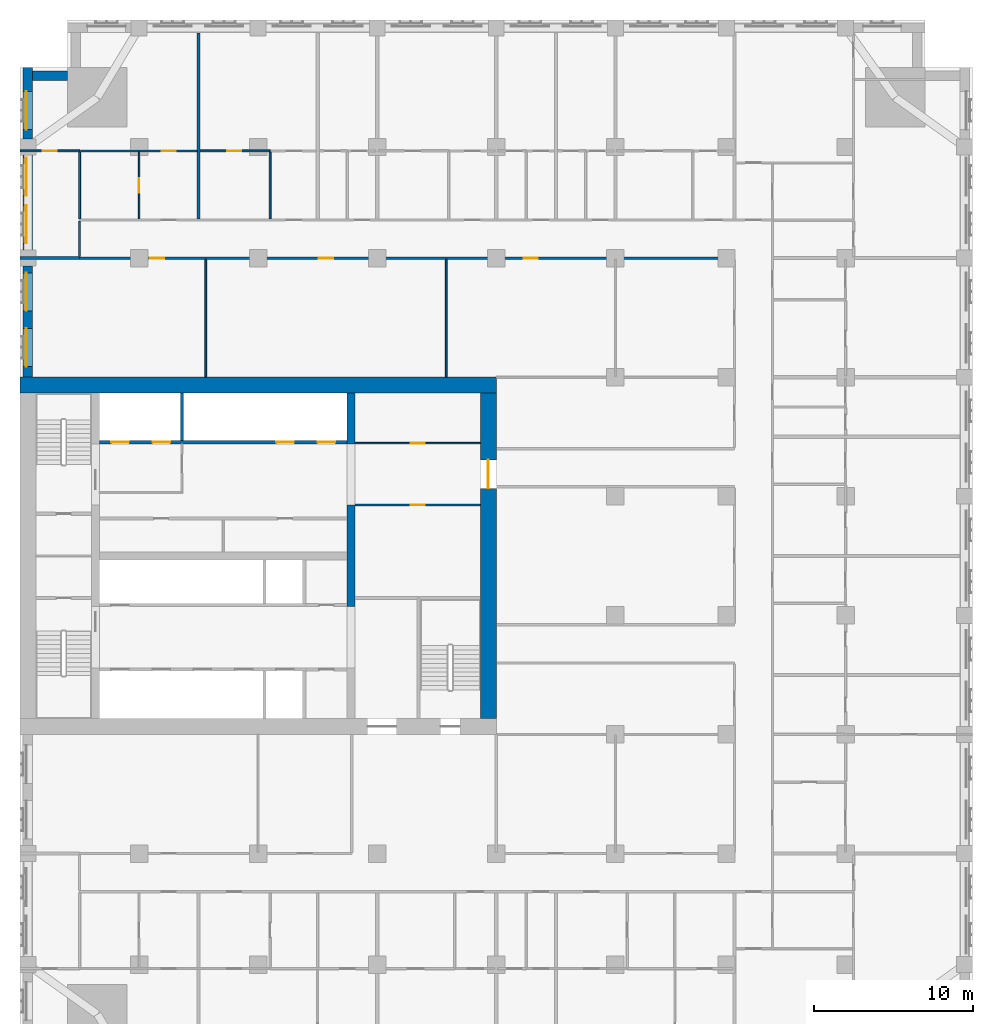
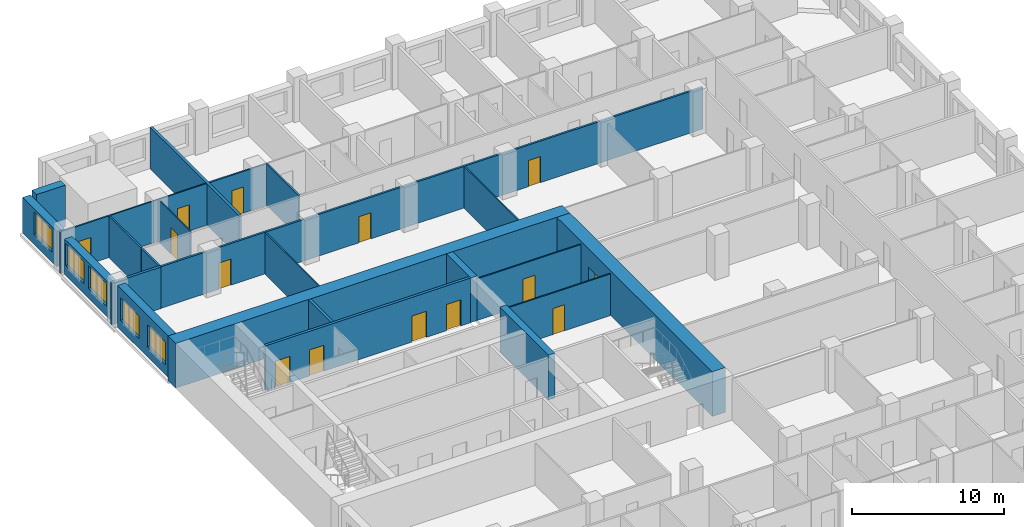
# One storey, part 8 of 14: 24 walls, 14 doors, 5 windows, 19 openings.
"""IFC4 building model written with IfcOpenShell, lengths in metres."""

from ifc_helpers import new_model, si_unit, direction, frame, frame_2d, origin, place, context, subcontext, project, spatial, rectangle, extrude, material, layer, layer_set, type_object, element, fill, save


model = new_model("IFC4")

# Units and contexts
model_context = context("Model", 3, precision=1e-05, world=origin(), true_north=direction((0.0, 1.0)))
body_context = subcontext(model_context, "Body", "Model", "MODEL_VIEW")
ifc_project = project(units=[si_unit("LENGTHUNIT", "METRE"), si_unit("AREAUNIT", "SQUARE_METRE"), si_unit("VOLUMEUNIT", "CUBIC_METRE"), si_unit("PLANEANGLEUNIT", "RADIAN"), si_unit("MASSUNIT", "GRAM", prefix="KILO")], contexts=[model_context])

# Site, building, storey
site_placement = place(None, origin())
site = spatial("IfcSite", under=ifc_project, at=site_placement, CompositionType="ELEMENT")
building_placement = place(site_placement, origin())
building = spatial("IfcBuilding", under=site, at=building_placement, Name="Tamorin Gate", CompositionType="ELEMENT")
storey_placement = place(building_placement, frame((0.0, 0.0, 107.89990234375)))
storey = spatial("IfcBuildingStorey", under=building, at=storey_placement, Name="L26", CompositionType="ELEMENT", Elevation=107.89990234375)

# Wall
ifc_material_1 = material(Name="Precast concrete C40/50", Category="concrete")
ifc_layer_1 = layer(ifc_material_1, 0.60009765625)
ifc_layer_set_1 = layer_set([ifc_layer_1], Name="Precast concrete C40/50")
wall_type_1 = type_object("IfcWallType", Name="Board-marked concrete facade panel 600", PredefinedType="SOLIDWALL", material=ifc_layer_set_1)
wall_1_placement = place(storey_placement, frame((33.0, 101.5, 0.0), z_axis=(0.0, 0.0, 1.0), x_axis=(-1.0, 0.0, 0.0)))
element("IfcWall", 1, at=wall_1_placement, inside=storey, type_object=wall_type_1, Name="Facade panel", PredefinedType="SOLIDWALL", context=body_context, shape_type="SweptSolid", body=[
    extrude(rectangle(XDim=2.199951171875, YDim=0.60009765625, at=frame_2d((1.10009765625, 0.0))), origin(), (0.0, 0.0, 1.0), 3.35009765625),
])

# Wall, opening, window
wall_2_placement = place(storey_placement, frame((30.5, 102.0, 0.0), z_axis=(0.0, 0.0, 1.0), x_axis=(0.0, -1.0, 0.0)))
wall_2 = element("IfcWall", 2, at=wall_2_placement, inside=storey, type_object=wall_type_1, Name="Facade panel", PredefinedType="SOLIDWALL", context=body_context, shape_type="SweptSolid", body=[
    extrude(rectangle(XDim=4.5, YDim=0.60009765625, at=frame_2d((2.25, 0.0))), origin(), (0.0, 0.0, 1.0), 2.85009765625),
])
opening_1_placement = place(wall_2_placement, frame((1.5, 0.0, 0.800048828125)))
opening_1 = element("IfcOpeningElement", 3, at=opening_1_placement, cuts=wall_2, Name="Opening WN1", PredefinedType="OPENING", context=body_context, shape_type="SweptSolid", body=[
    extrude(rectangle(XDim=2.39990234375, YDim=1.800048828125, at=frame_2d((1.199951171875, 0.89990234375))), frame((0.0, 0.31005859375, 0.0), z_axis=(0.0, -1.0, 0.0), x_axis=(1.0, 0.0, 0.0)), (0.0, 0.0, 1.0), 0.6201171875),
])
ifc_material_2 = material(Name="Clear glass in aluminium frame", Category="aluminium")
window_type = type_object("IfcWindowType", Name="Deep-set window 2400x1800", PartitioningType="SINGLE_PANEL", PredefinedType="WINDOW", material=ifc_material_2)
window_1_placement = place(opening_1_placement, origin())
window_1 = element("IfcWindow", 4, at=window_1_placement, inside=storey, type_object=window_type, Name="Deep-set window", OverallHeight=1.800048828125, OverallWidth=2.39990234375, PartitioningType="SINGLE_PANEL", PredefinedType="WINDOW", context=body_context, shape_type="SweptSolid", body=[
    extrude(rectangle(XDim=2.39990234375, YDim=1.800048828125, at=frame_2d((1.199951171875, 0.89990234375))), frame((0.0, -0.070068359375, 0.0), z_axis=(0.0, -1.0, 0.0), x_axis=(1.0, 0.0, 0.0)), (0.0, 0.0, 1.0), 0.06005859375),
])
fill(opening_1, window_1)

# Wall, openings, windows
wall_3_placement = place(storey_placement, frame((30.5, 96.5, 0.0), z_axis=(0.0, 0.0, 1.0), x_axis=(0.0, -1.0, 0.0)))
wall_3 = element("IfcWall", 5, at=wall_3_placement, inside=storey, type_object=wall_type_1, Name="Facade panel", PredefinedType="SOLIDWALL", context=body_context, shape_type="SweptSolid", body=[
    extrude(rectangle(XDim=6.0, YDim=0.60009765625, at=frame_2d((3.0, 0.0))), origin(), (0.0, 0.0, 1.0), 2.85009765625),
])
opening_2_placement = place(wall_3_placement, frame((3.175048828125, 0.0, 0.800048828125)))
opening_2 = element("IfcOpeningElement", 6, at=opening_2_placement, cuts=wall_3, Name="Opening WN1", PredefinedType="OPENING", context=body_context, shape_type="SweptSolid", body=[
    extrude(rectangle(XDim=2.39990234375, YDim=1.800048828125, at=frame_2d((1.199951171875, 0.89990234375))), frame((0.0, 0.31005859375, 0.0), z_axis=(0.0, -1.0, 0.0), x_axis=(1.0, 0.0, 0.0)), (0.0, 0.0, 1.0), 0.6201171875),
])
opening_3_placement = place(wall_3_placement, frame((0.175048828125, 0.0, 0.800048828125)))
opening_3 = element("IfcOpeningElement", 7, at=opening_3_placement, cuts=wall_3, Name="Opening WN1", PredefinedType="OPENING", context=body_context, shape_type="SweptSolid", body=[
    extrude(rectangle(XDim=2.39990234375, YDim=1.800048828125, at=frame_2d((1.199951171875, 0.89990234375))), frame((0.0, 0.31005859375, 0.0), z_axis=(0.0, -1.0, 0.0), x_axis=(1.0, 0.0, 0.0)), (0.0, 0.0, 1.0), 0.6201171875),
])
window_2_placement = place(opening_2_placement, origin())
window_2 = element("IfcWindow", 8, at=window_2_placement, inside=storey, type_object=window_type, Name="Deep-set window", OverallHeight=1.800048828125, OverallWidth=2.39990234375, PartitioningType="SINGLE_PANEL", PredefinedType="WINDOW", context=body_context, shape_type="SweptSolid", body=[
    extrude(rectangle(XDim=2.39990234375, YDim=1.800048828125, at=frame_2d((1.199951171875, 0.89990234375))), frame((0.0, -0.070068359375, 0.0), z_axis=(0.0, -1.0, 0.0), x_axis=(1.0, 0.0, 0.0)), (0.0, 0.0, 1.0), 0.06005859375),
])
fill(opening_2, window_2)
window_3_placement = place(opening_3_placement, origin())
window_3 = element("IfcWindow", 9, at=window_3_placement, inside=storey, type_object=window_type, Name="Deep-set window", OverallHeight=1.800048828125, OverallWidth=2.39990234375, PartitioningType="SINGLE_PANEL", PredefinedType="WINDOW", context=body_context, shape_type="SweptSolid", body=[
    extrude(rectangle(XDim=2.39990234375, YDim=1.800048828125, at=frame_2d((1.199951171875, 0.89990234375))), frame((0.0, -0.070068359375, 0.0), z_axis=(0.0, -1.0, 0.0), x_axis=(1.0, 0.0, 0.0)), (0.0, 0.0, 1.0), 0.06005859375),
])
fill(opening_3, window_3)

wall_4_placement = place(storey_placement, frame((30.5, 89.5, 0.0), z_axis=(0.0, 0.0, 1.0), x_axis=(0.0, -1.0, 0.0)))
wall_4 = element("IfcWall", 10, at=wall_4_placement, inside=storey, type_object=wall_type_1, Name="Facade panel", PredefinedType="SOLIDWALL", context=body_context, shape_type="SweptSolid", body=[
    extrude(rectangle(XDim=7.0, YDim=0.60009765625, at=frame_2d((3.5, 0.0))), origin(), (0.0, 0.0, 1.0), 3.35009765625),
])
opening_4_placement = place(wall_4_placement, frame((3.925048828125, 0.0, 0.800048828125)))
opening_4 = element("IfcOpeningElement", 11, at=opening_4_placement, cuts=wall_4, Name="Opening WN1", PredefinedType="OPENING", context=body_context, shape_type="SweptSolid", body=[
    extrude(rectangle(XDim=2.39990234375, YDim=1.800048828125, at=frame_2d((1.199951171875, 0.89990234375))), frame((0.0, 0.31005859375, 0.0), z_axis=(0.0, -1.0, 0.0), x_axis=(1.0, 0.0, 0.0)), (0.0, 0.0, 1.0), 0.6201171875),
])
opening_5_placement = place(wall_4_placement, frame((0.425048828125, 0.0, 0.800048828125)))
opening_5 = element("IfcOpeningElement", 12, at=opening_5_placement, cuts=wall_4, Name="Opening WN1", PredefinedType="OPENING", context=body_context, shape_type="SweptSolid", body=[
    extrude(rectangle(XDim=2.39990234375, YDim=1.800048828125, at=frame_2d((1.199951171875, 0.89990234375))), frame((0.0, 0.31005859375, 0.0), z_axis=(0.0, -1.0, 0.0), x_axis=(1.0, 0.0, 0.0)), (0.0, 0.0, 1.0), 0.6201171875),
])
window_4_placement = place(opening_4_placement, origin())
window_4 = element("IfcWindow", 13, at=window_4_placement, inside=storey, type_object=window_type, Name="Deep-set window", OverallHeight=1.800048828125, OverallWidth=2.39990234375, PartitioningType="SINGLE_PANEL", PredefinedType="WINDOW", context=body_context, shape_type="SweptSolid", body=[
    extrude(rectangle(XDim=2.39990234375, YDim=1.800048828125, at=frame_2d((1.199951171875, 0.89990234375))), frame((0.0, -0.070068359375, 0.0), z_axis=(0.0, -1.0, 0.0), x_axis=(1.0, 0.0, 0.0)), (0.0, 0.0, 1.0), 0.06005859375),
])
fill(opening_4, window_4)
window_5_placement = place(opening_5_placement, origin())
window_5 = element("IfcWindow", 14, at=window_5_placement, inside=storey, type_object=window_type, Name="Deep-set window", OverallHeight=1.800048828125, OverallWidth=2.39990234375, PartitioningType="SINGLE_PANEL", PredefinedType="WINDOW", context=body_context, shape_type="SweptSolid", body=[
    extrude(rectangle(XDim=2.39990234375, YDim=1.800048828125, at=frame_2d((1.199951171875, 0.89990234375))), frame((0.0, -0.070068359375, 0.0), z_axis=(0.0, -1.0, 0.0), x_axis=(1.0, 0.0, 0.0)), (0.0, 0.0, 1.0), 0.06005859375),
])
fill(opening_5, window_5)

# Wall, openings, doors
ifc_material_3 = material(Name="Gypsum board partition")
ifc_layer_2 = layer(ifc_material_3, 0.14990234375)
ifc_layer_set_2 = layer_set([ifc_layer_2], Name="Corridor wall 150")
wall_type_2 = type_object("IfcWallType", Name="Corridor wall 150", PredefinedType="PARTITIONING", material=ifc_layer_set_2)
wall_5_placement = place(storey_placement, frame((33.75, 90.0, 0.0), z_axis=(0.0, 0.0, 1.0), x_axis=(1.0, 0.0, 0.0)))
wall_5 = element("IfcWall", 15, at=wall_5_placement, inside=storey, type_object=wall_type_2, Name="Corridor wall 150", PredefinedType="PARTITIONING", context=body_context, shape_type="SweptSolid", body=[
    extrude(rectangle(XDim=41.25, YDim=0.14990234375, at=frame_2d((20.625, 0.0))), origin(), (0.0, 0.0, 1.0), 3.35009765625),
])
opening_6_placement = place(wall_5_placement, frame((4.425048828125, 0.0, 0.0)))
opening_6 = element("IfcOpeningElement", 16, at=opening_6_placement, cuts=wall_5, Name="Opening DH5076", PredefinedType="OPENING", context=body_context, shape_type="SweptSolid", body=[
    extrude(rectangle(XDim=0.89990234375, YDim=2.10009765625, at=frame_2d((0.449951171875, 1.050048828125))), frame((0.0, 0.0849609375, 0.0), z_axis=(0.0, -1.0, 0.0), x_axis=(1.0, 0.0, 0.0)), (0.0, 0.0, 1.0), 0.169921875),
])
opening_7_placement = place(wall_5_placement, frame((15.074951171875, 0.0, 0.0)))
opening_7 = element("IfcOpeningElement", 17, at=opening_7_placement, cuts=wall_5, Name="Opening DH5077", PredefinedType="OPENING", context=body_context, shape_type="SweptSolid", body=[
    extrude(rectangle(XDim=0.89990234375, YDim=2.10009765625, at=frame_2d((0.449951171875, 1.050048828125))), frame((0.0, 0.0849609375, 0.0), z_axis=(0.0, -1.0, 0.0), x_axis=(1.0, 0.0, 0.0)), (0.0, 0.0, 1.0), 0.169921875),
])
opening_8_placement = place(wall_5_placement, frame((27.97509765625, 0.0, 0.0)))
opening_8 = element("IfcOpeningElement", 18, at=opening_8_placement, cuts=wall_5, Name="Opening DH5078", PredefinedType="OPENING", context=body_context, shape_type="SweptSolid", body=[
    extrude(rectangle(XDim=0.89990234375, YDim=2.10009765625, at=frame_2d((0.449951171875, 1.050048828125))), frame((0.0, 0.0849609375, 0.0), z_axis=(0.0, -1.0, 0.0), x_axis=(1.0, 0.0, 0.0)), (0.0, 0.0, 1.0), 0.169921875),
])
ifc_material_4 = material(Name="Timber door leaf", Category="wood")
door_type_1 = type_object("IfcDoorType", Name="Door 900 x 2100 FD30S", OperationType="NOTDEFINED", PredefinedType="DOOR", material=ifc_material_4)
door_1_placement = place(opening_6_placement, origin())
door_1 = element("IfcDoor", 19, at=door_1_placement, inside=storey, type_object=door_type_1, Name="Door DH5076", OperationType="SINGLE_SWING_LEFT", OverallHeight=2.10009765625, OverallWidth=0.89990234375, PredefinedType="DOOR", context=body_context, shape_type="SweptSolid", body=[
    extrude(rectangle(XDim=0.89990234375, YDim=2.10009765625, at=frame_2d((0.449951171875, 1.050048828125))), frame((0.0, 0.02490234375, 0.0), z_axis=(0.0, -1.0, 0.0), x_axis=(1.0, 0.0, 0.0)), (0.0, 0.0, 1.0), 0.050048828125),
])
fill(opening_6, door_1)
door_2_placement = place(opening_7_placement, origin())
door_2 = element("IfcDoor", 20, at=door_2_placement, inside=storey, type_object=door_type_1, Name="Door DH5077", OperationType="SINGLE_SWING_RIGHT", OverallHeight=2.10009765625, OverallWidth=0.89990234375, PredefinedType="DOOR", context=body_context, shape_type="SweptSolid", body=[
    extrude(rectangle(XDim=0.89990234375, YDim=2.10009765625, at=frame_2d((0.449951171875, 1.050048828125))), frame((0.0, 0.02490234375, 0.0), z_axis=(0.0, -1.0, 0.0), x_axis=(1.0, 0.0, 0.0)), (0.0, 0.0, 1.0), 0.050048828125),
])
fill(opening_7, door_2)
door_3_placement = place(opening_8_placement, origin())
door_3 = element("IfcDoor", 21, at=door_3_placement, inside=storey, type_object=door_type_1, Name="Door DH5078", OperationType="SINGLE_SWING_RIGHT", OverallHeight=2.10009765625, OverallWidth=0.89990234375, PredefinedType="DOOR", context=body_context, shape_type="SweptSolid", body=[
    extrude(rectangle(XDim=0.89990234375, YDim=2.10009765625, at=frame_2d((0.449951171875, 1.050048828125))), frame((0.0, 0.02490234375, 0.0), z_axis=(0.0, -1.0, 0.0), x_axis=(1.0, 0.0, 0.0)), (0.0, 0.0, 1.0), 0.050048828125),
])
fill(opening_8, door_3)

# Walls
wall_6_placement = place(storey_placement, frame((33.75, 90.10009765625, 0.0), z_axis=(0.0, 0.0, 1.0), x_axis=(0.0, 1.0, 0.0)))
element("IfcWall", 22, at=wall_6_placement, inside=storey, type_object=wall_type_2, Name="Corridor wall 150", PredefinedType="PARTITIONING", context=body_context, shape_type="SweptSolid", body=[
    extrude(rectangle(XDim=2.224853515625, YDim=0.14990234375, at=frame_2d((1.1123046875, 0.0))), origin(), (0.0, 0.0, 1.0), 3.35009765625),
])
ifc_layer_3 = layer(ifc_material_3, 0.199951171875)
ifc_layer_set_3 = layer_set([ifc_layer_3], Name="Demising wall 200")
wall_type_3 = type_object("IfcWallType", Name="Demising wall 200", PredefinedType="PARTITIONING", material=ifc_layer_set_3)
wall_7_placement = place(storey_placement, frame((30.0, 90.0, 0.0), z_axis=(0.0, 0.0, 1.0), x_axis=(1.0, 0.0, 0.0)))
element("IfcWall", 23, at=wall_7_placement, inside=storey, type_object=wall_type_3, Name="Demising wall 200", PredefinedType="PARTITIONING", context=body_context, shape_type="SweptSolid", body=[
    extrude(rectangle(XDim=3.75, YDim=0.199951171875, at=frame_2d((1.875, 0.0))), origin(), (0.0, 0.0, 1.0), 3.35009765625),
])
wall_8_placement = place(storey_placement, frame((41.25, 92.47509765625, 0.0), z_axis=(0.0, 0.0, 1.0), x_axis=(0.0, 1.0, 0.0)))
element("IfcWall", 24, at=wall_8_placement, inside=storey, type_object=wall_type_3, Name="Demising wall 200", PredefinedType="PARTITIONING", context=body_context, shape_type="SweptSolid", body=[
    extrude(rectangle(XDim=11.71484375, YDim=0.199951171875, at=frame_2d((5.857421875, 0.0))), origin(), (0.0, 0.0, 1.0), 3.35009765625),
])

# Wall, openings, doors
ifc_material_5 = material(Name="Concrete C32/40", Category="concrete")
ifc_layer_4 = layer(ifc_material_5, 0.199951171875)
ifc_layer_set_4 = layer_set([ifc_layer_4], Name="Lift lobby face wall 200 EI 120")
wall_type_4 = type_object("IfcWallType", Name="Lift lobby face wall 200 EI 120", PredefinedType="SOLIDWALL", material=ifc_layer_set_4)
wall_9_placement = place(storey_placement, frame((35.0, 78.39990234375, 0.0), z_axis=(0.0, 0.0, 1.0), x_axis=(1.0, 0.0, 0.0)))
wall_9 = element("IfcWall", 25, at=wall_9_placement, inside=storey, type_object=wall_type_4, Name="Lift lobby face wall", PredefinedType="SOLIDWALL", context=body_context, shape_type="SweptSolid", body=[
    extrude(rectangle(XDim=15.60009765625, YDim=0.199951171875, at=frame_2d((7.800048828125, 0.0))), origin(), (0.0, 0.0, 1.0), 3.60009765625),
])
opening_9_placement = place(wall_9_placement, frame((0.75, 0.0, 0.0)))
opening_9 = element("IfcOpeningElement", 26, at=opening_9_placement, cuts=wall_9, Name="Opening LD17", PredefinedType="OPENING", context=body_context, shape_type="SweptSolid", body=[
    extrude(rectangle(XDim=1.10009765625, YDim=2.10009765625, at=frame_2d((0.550048828125, 1.050048828125))), frame((0.0, 0.10986328125, 0.0), z_axis=(0.0, -1.0, 0.0), x_axis=(1.0, 0.0, 0.0)), (0.0, 0.0, 1.0), 0.219970703125),
])
opening_10_placement = place(wall_9_placement, frame((3.35009765625, 0.0, 0.0)))
opening_10 = element("IfcOpeningElement", 27, at=opening_10_placement, cuts=wall_9, Name="Opening LD18", PredefinedType="OPENING", context=body_context, shape_type="SweptSolid", body=[
    extrude(rectangle(XDim=1.10009765625, YDim=2.10009765625, at=frame_2d((0.550048828125, 1.050048828125))), frame((0.0, 0.10986328125, 0.0), z_axis=(0.0, -1.0, 0.0), x_axis=(1.0, 0.0, 0.0)), (0.0, 0.0, 1.0), 0.219970703125),
])
opening_11_placement = place(wall_9_placement, frame((11.14990234375, 0.0, 0.0)))
opening_11 = element("IfcOpeningElement", 28, at=opening_11_placement, cuts=wall_9, Name="Opening LD21", PredefinedType="OPENING", context=body_context, shape_type="SweptSolid", body=[
    extrude(rectangle(XDim=1.10009765625, YDim=2.10009765625, at=frame_2d((0.550048828125, 1.050048828125))), frame((0.0, 0.10986328125, 0.0), z_axis=(0.0, -1.0, 0.0), x_axis=(1.0, 0.0, 0.0)), (0.0, 0.0, 1.0), 0.219970703125),
])
opening_12_placement = place(wall_9_placement, frame((13.75, 0.0, 0.0)))
opening_12 = element("IfcOpeningElement", 29, at=opening_12_placement, cuts=wall_9, Name="Opening LD22", PredefinedType="OPENING", context=body_context, shape_type="SweptSolid", body=[
    extrude(rectangle(XDim=1.10009765625, YDim=2.10009765625, at=frame_2d((0.550048828125, 1.050048828125))), frame((0.0, 0.10986328125, 0.0), z_axis=(0.0, -1.0, 0.0), x_axis=(1.0, 0.0, 0.0)), (0.0, 0.0, 1.0), 0.219970703125),
])
ifc_material_6 = material(Name="Stainless steel sliding door", Category="steel")
door_type_2 = type_object("IfcDoorType", Name="Lift landing door 1100 x 2100 E 90", OperationType="DOUBLE_DOOR_SLIDING", PredefinedType="DOOR", material=ifc_material_6)
door_4_placement = place(opening_9_placement, origin())
door_4 = element("IfcDoor", 30, at=door_4_placement, inside=storey, type_object=door_type_2, Name="FF1 landing door", OperationType="DOUBLE_DOOR_SLIDING", OverallHeight=2.10009765625, OverallWidth=1.10009765625, PredefinedType="DOOR", context=body_context, shape_type="SweptSolid", body=[
    extrude(rectangle(XDim=1.10009765625, YDim=2.10009765625, at=frame_2d((0.550048828125, 1.050048828125))), frame((0.0, 0.02490234375, 0.0), z_axis=(0.0, -1.0, 0.0), x_axis=(1.0, 0.0, 0.0)), (0.0, 0.0, 1.0), 0.050048828125),
])
fill(opening_9, door_4)
door_5_placement = place(opening_10_placement, origin())
door_5 = element("IfcDoor", 31, at=door_5_placement, inside=storey, type_object=door_type_2, Name="FF2 landing door", OperationType="DOUBLE_DOOR_SLIDING", OverallHeight=2.10009765625, OverallWidth=1.10009765625, PredefinedType="DOOR", context=body_context, shape_type="SweptSolid", body=[
    extrude(rectangle(XDim=1.10009765625, YDim=2.10009765625, at=frame_2d((0.550048828125, 1.050048828125))), frame((0.0, 0.02490234375, 0.0), z_axis=(0.0, -1.0, 0.0), x_axis=(1.0, 0.0, 0.0)), (0.0, 0.0, 1.0), 0.050048828125),
])
fill(opening_10, door_5)
door_6_placement = place(opening_11_placement, origin())
door_6 = element("IfcDoor", 32, at=door_6_placement, inside=storey, type_object=door_type_2, Name="SV1 landing door", OperationType="DOUBLE_DOOR_SLIDING", OverallHeight=2.10009765625, OverallWidth=1.10009765625, PredefinedType="DOOR", context=body_context, shape_type="SweptSolid", body=[
    extrude(rectangle(XDim=1.10009765625, YDim=2.10009765625, at=frame_2d((0.550048828125, 1.050048828125))), frame((0.0, 0.02490234375, 0.0), z_axis=(0.0, -1.0, 0.0), x_axis=(1.0, 0.0, 0.0)), (0.0, 0.0, 1.0), 0.050048828125),
])
fill(opening_11, door_6)
door_7_placement = place(opening_12_placement, origin())
door_7 = element("IfcDoor", 33, at=door_7_placement, inside=storey, type_object=door_type_2, Name="SV2 landing door", OperationType="DOUBLE_DOOR_SLIDING", OverallHeight=2.10009765625, OverallWidth=1.10009765625, PredefinedType="DOOR", context=body_context, shape_type="SweptSolid", body=[
    extrude(rectangle(XDim=1.10009765625, YDim=2.10009765625, at=frame_2d((0.550048828125, 1.050048828125))), frame((0.0, 0.02490234375, 0.0), z_axis=(0.0, -1.0, 0.0), x_axis=(1.0, 0.0, 0.0)), (0.0, 0.0, 1.0), 0.050048828125),
])
fill(opening_12, door_7)

# Walls
ifc_layer_5 = layer(ifc_material_5, 0.199951171875)
ifc_layer_set_5 = layer_set([ifc_layer_5], Name="Lift shaft wall 200 EI 120")
wall_type_5 = type_object("IfcWallType", Name="Lift shaft wall 200 EI 120", PredefinedType="SOLIDWALL", material=ifc_layer_set_5)
wall_10_placement = place(storey_placement, frame((40.199951171875, 78.5, 0.0), z_axis=(0.0, 0.0, 1.0), x_axis=(0.0, 1.0, 0.0)))
element("IfcWall", 34, at=wall_10_placement, inside=storey, type_object=wall_type_5, Name="Lift shaft wall", PredefinedType="SOLIDWALL", context=body_context, shape_type="SweptSolid", body=[
    extrude(rectangle(XDim=3.0, YDim=0.199951171875, at=frame_2d((1.5, 0.0))), origin(), (0.0, 0.0, 1.0), 3.60009765625),
])
ifc_material_7 = material(Name="Concrete C80/95", Category="concrete")
ifc_layer_6 = layer(ifc_material_7, 0.5)
ifc_layer_set_6 = layer_set([ifc_layer_6], Name="RC core internal wall 500 C80/95")
wall_type_6 = type_object("IfcWallType", Name="RC core internal wall 500 C80/95", PredefinedType="SHEAR", material=ifc_layer_set_6)
wall_11_placement = place(storey_placement, frame((50.85009765625, 68.050048828125, 0.0), z_axis=(0.0, 0.0, 1.0), x_axis=(0.0, 1.0, 0.0)))
element("IfcWall", 35, at=wall_11_placement, inside=storey, type_object=wall_type_6, Name="Core cross wall L26", PredefinedType="SHEAR", context=body_context, shape_type="SweptSolid", body=[
    extrude(rectangle(XDim=6.39990234375, YDim=0.5, at=frame_2d((3.199951171875, 0.0))), origin(), (0.0, 0.0, 1.0), 3.60009765625),
])
wall_12_placement = place(storey_placement, frame((50.85009765625, 78.300048828125, 0.0), z_axis=(0.0, 0.0, 1.0), x_axis=(0.0, 1.0, 0.0)))
element("IfcWall", 36, at=wall_12_placement, inside=storey, type_object=wall_type_6, Name="Core cross wall L26", PredefinedType="SHEAR", context=body_context, shape_type="SweptSolid", body=[
    extrude(rectangle(XDim=3.199951171875, YDim=0.5, at=frame_2d((1.60009765625, 0.0))), origin(), (0.0, 0.0, 1.0), 3.60009765625),
])
ifc_layer_7 = layer(ifc_material_7, 1.0)
ifc_layer_set_7 = layer_set([ifc_layer_7], Name="RC core wall 1000 C80/95")
wall_type_7 = type_object("IfcWallType", Name="RC core wall 1000 C80/95", PredefinedType="SHEAR", material=ifc_layer_set_7)
wall_13_placement = place(storey_placement, frame((30.0, 82.0, 0.0), z_axis=(0.0, 0.0, 1.0), x_axis=(1.0, 0.0, 0.0)))
element("IfcWall", 37, at=wall_13_placement, inside=storey, type_object=wall_type_7, Name="Core wall L26", PredefinedType="SHEAR", context=body_context, shape_type="SweptSolid", body=[
    extrude(rectangle(XDim=30.0, YDim=1.0, at=frame_2d((15.0, 0.0))), origin(), (0.0, 0.0, 1.0), 3.60009765625),
])

# Wall, opening, door
wall_14_placement = place(storey_placement, frame((59.5, 61.0, 0.0), z_axis=(0.0, 0.0, 1.0), x_axis=(0.0, 1.0, 0.0)))
wall_14 = element("IfcWall", 38, at=wall_14_placement, inside=storey, type_object=wall_type_7, Name="Core wall L26", PredefinedType="SHEAR", context=body_context, shape_type="SweptSolid", body=[
    extrude(rectangle(XDim=20.5, YDim=1.0, at=frame_2d((10.25, 0.0))), origin(), (0.0, 0.0, 1.0), 3.60009765625),
])
opening_13_placement = place(wall_14_placement, frame((14.5, 0.0, 0.0)))
opening_13 = element("IfcOpeningElement", 39, at=opening_13_placement, cuts=wall_14, Name="Opening DE1", PredefinedType="OPENING", context=body_context, shape_type="SweptSolid", body=[
    extrude(rectangle(XDim=1.800048828125, YDim=2.10009765625, at=frame_2d((0.89990234375, 1.050048828125))), frame((0.0, 0.510009765625, 0.0), z_axis=(0.0, -1.0, 0.0), x_axis=(1.0, 0.0, 0.0)), (0.0, 0.0, 1.0), 1.02001953125),
])
ifc_material_8 = material(Name="Steel fire door", Category="steel")
door_type_3 = type_object("IfcDoorType", Name="Lobby exit double door 1800 x 2100 EI 60", OperationType="DOUBLE_DOOR_SINGLE_SWING", PredefinedType="DOOR", material=ifc_material_8)
door_8_placement = place(opening_13_placement, origin())
door_8 = element("IfcDoor", 40, at=door_8_placement, inside=storey, type_object=door_type_3, Name="Lift lobby B exit door", OperationType="DOUBLE_DOOR_SINGLE_SWING", OverallHeight=2.10009765625, OverallWidth=1.800048828125, PredefinedType="DOOR", context=body_context, shape_type="SweptSolid", body=[
    extrude(rectangle(XDim=1.800048828125, YDim=2.10009765625, at=frame_2d((0.89990234375, 1.050048828125))), frame((0.0, 0.02490234375, 0.0), z_axis=(0.0, -1.0, 0.0), x_axis=(1.0, 0.0, 0.0)), (0.0, 0.0, 1.0), 0.050048828125),
])
fill(opening_13, door_8)

ifc_layer_8 = layer(ifc_material_3, 0.10009765625)
ifc_layer_set_8 = layer_set([ifc_layer_8], Name="Room partition 100")
wall_type_8 = type_object("IfcWallType", Name="Room partition 100", PredefinedType="PARTITIONING", material=ifc_layer_set_8)
wall_15_placement = place(storey_placement, frame((33.8125, 96.75, 0.0), z_axis=(0.0, 0.0, 1.0), x_axis=(1.0, 0.0, 0.0)))
wall_15 = element("IfcWall", 41, at=wall_15_placement, inside=storey, type_object=wall_type_8, Name="Room partition 100", PredefinedType="PARTITIONING", context=body_context, shape_type="SweptSolid", body=[
    extrude(rectangle(XDim=7.33740234375, YDim=0.10009765625, at=frame_2d((3.668701171875, 0.0))), origin(), (0.0, 0.0, 1.0), 3.35009765625),
])
opening_14_placement = place(wall_15_placement, frame((5.112548828125, 0.0, 0.0)))
opening_14 = element("IfcOpeningElement", 42, at=opening_14_placement, cuts=wall_15, Name="Opening DH5024", PredefinedType="OPENING", context=body_context, shape_type="SweptSolid", body=[
    extrude(rectangle(XDim=0.89990234375, YDim=2.10009765625, at=frame_2d((0.449951171875, 1.050048828125))), frame((0.0, 0.06005859375, 0.0), z_axis=(0.0, -1.0, 0.0), x_axis=(1.0, 0.0, 0.0)), (0.0, 0.0, 1.0), 0.1201171875),
])
door_type_4 = type_object("IfcDoorType", Name="Door 900 x 2100", OperationType="NOTDEFINED", PredefinedType="DOOR", material=ifc_material_4)
door_9_placement = place(opening_14_placement, origin())
door_9 = element("IfcDoor", 43, at=door_9_placement, inside=storey, type_object=door_type_4, Name="Door DH5024", OperationType="SINGLE_SWING_RIGHT", OverallHeight=2.10009765625, OverallWidth=0.89990234375, PredefinedType="DOOR", context=body_context, shape_type="SweptSolid", body=[
    extrude(rectangle(XDim=0.89990234375, YDim=2.10009765625, at=frame_2d((0.449951171875, 1.050048828125))), frame((0.0, 0.02490234375, 0.0), z_axis=(0.0, -1.0, 0.0), x_axis=(1.0, 0.0, 0.0)), (0.0, 0.0, 1.0), 0.050048828125),
])
fill(opening_14, door_9)

wall_16_placement = place(storey_placement, frame((37.5, 92.47509765625, 0.0), z_axis=(0.0, 0.0, 1.0), x_axis=(0.0, 1.0, 0.0)))
wall_16 = element("IfcWall", 44, at=wall_16_placement, inside=storey, type_object=wall_type_8, Name="Room partition 100", PredefinedType="PARTITIONING", context=body_context, shape_type="SweptSolid", body=[
    extrude(rectangle(XDim=4.224853515625, YDim=0.10009765625, at=frame_2d((2.1123046875, 0.0))), origin(), (0.0, 0.0, 1.0), 3.35009765625),
])
opening_15_placement = place(wall_16_placement, frame((1.64990234375, 0.0, 0.0)))
opening_15 = element("IfcOpeningElement", 45, at=opening_15_placement, cuts=wall_16, Name="Opening DH5022", PredefinedType="OPENING", context=body_context, shape_type="SweptSolid", body=[
    extrude(rectangle(XDim=0.89990234375, YDim=2.10009765625, at=frame_2d((0.449951171875, 1.050048828125))), frame((0.0, 0.06005859375, 0.0), z_axis=(0.0, -1.0, 0.0), x_axis=(1.0, 0.0, 0.0)), (0.0, 0.0, 1.0), 0.1201171875),
])
door_10_placement = place(opening_15_placement, origin())
door_10 = element("IfcDoor", 46, at=door_10_placement, inside=storey, type_object=door_type_4, Name="Door DH5022", OperationType="SINGLE_SWING_RIGHT", OverallHeight=2.10009765625, OverallWidth=0.89990234375, PredefinedType="DOOR", context=body_context, shape_type="SweptSolid", body=[
    extrude(rectangle(XDim=0.89990234375, YDim=2.10009765625, at=frame_2d((0.449951171875, 1.050048828125))), frame((0.0, 0.02490234375, 0.0), z_axis=(0.0, -1.0, 0.0), x_axis=(1.0, 0.0, 0.0)), (0.0, 0.0, 1.0), 0.050048828125),
])
fill(opening_15, door_10)

# Walls
for number, where, z_axis, x_axis, name in (
    (47, (41.699951171875, 82.5, 0.0), (0.0, 0.0, 1.0), (0.0, 1.0, 0.0), "Room partition 100"),
    (48, (56.85009765625, 82.5, 0.0), (0.0, 0.0, 1.0), (0.0, 1.0, 0.0), "Room partition 100"),
):
    element("IfcWall", number, at=place(storey_placement, frame(where, z_axis=z_axis, x_axis=x_axis)), inside=storey, type_object=wall_type_8, Name=name, PredefinedType="PARTITIONING", context=body_context, shape_type="SweptSolid", body=[
        extrude(rectangle(XDim=7.425048828125, YDim=0.10009765625, at=frame_2d((3.71240234375, 0.0))), origin(), (0.0, 0.0, 1.0), 3.35009765625),
    ])

# Wall, opening, door
ifc_layer_9 = layer(ifc_material_3, 0.10009765625)
ifc_layer_set_9 = layer_set([ifc_layer_9], Name="Service room partition 100 EI 60")
wall_type_9 = type_object("IfcWallType", Name="Service room partition 100 EI 60", PredefinedType="PARTITIONING", material=ifc_layer_set_9)
wall_17_placement = place(storey_placement, frame((51.10009765625, 74.449951171875, 0.0), z_axis=(0.0, 0.0, 1.0), x_axis=(1.0, 0.0, 0.0)))
wall_17 = element("IfcWall", 49, at=wall_17_placement, inside=storey, type_object=wall_type_9, Name="Service room wall", PredefinedType="PARTITIONING", context=body_context, shape_type="SweptSolid", body=[
    extrude(rectangle(XDim=7.89990234375, YDim=0.10009765625, at=frame_2d((3.949951171875, 0.0))), origin(), (0.0, 0.0, 1.0), 3.35009765625),
])
opening_16_placement = place(wall_17_placement, frame((3.5, 0.0, 0.0)))
opening_16 = element("IfcOpeningElement", 50, at=opening_16_placement, cuts=wall_17, Name="Opening DR1", PredefinedType="OPENING", context=body_context, shape_type="SweptSolid", body=[
    extrude(rectangle(XDim=0.89990234375, YDim=2.10009765625, at=frame_2d((0.449951171875, 1.050048828125))), frame((0.0, 0.06005859375, 0.0), z_axis=(0.0, -1.0, 0.0), x_axis=(1.0, 0.0, 0.0)), (0.0, 0.0, 1.0), 0.1201171875),
])
door_type_5 = type_object("IfcDoorType", Name="Riser access door 900 x 2100 EI 120", OperationType="SINGLE_SWING_LEFT", PredefinedType="DOOR", material=ifc_material_8)
door_11_placement = place(opening_16_placement, origin())
door_11 = element("IfcDoor", 51, at=door_11_placement, inside=storey, type_object=door_type_5, Name="Duct riser door", OperationType="SINGLE_SWING_RIGHT", OverallHeight=2.10009765625, OverallWidth=0.89990234375, PredefinedType="DOOR", context=body_context, shape_type="SweptSolid", body=[
    extrude(rectangle(XDim=0.89990234375, YDim=2.10009765625, at=frame_2d((0.449951171875, 1.050048828125))), frame((0.0, 0.02490234375, 0.0), z_axis=(0.0, -1.0, 0.0), x_axis=(1.0, 0.0, 0.0)), (0.0, 0.0, 1.0), 0.050048828125),
])
fill(opening_16, door_11)

wall_18_placement = place(storey_placement, frame((51.10009765625, 78.35009765625, 0.0), z_axis=(0.0, 0.0, 1.0), x_axis=(1.0, 0.0, 0.0)))
wall_18 = element("IfcWall", 52, at=wall_18_placement, inside=storey, type_object=wall_type_9, Name="Service room wall", PredefinedType="PARTITIONING", context=body_context, shape_type="SweptSolid", body=[
    extrude(rectangle(XDim=7.89990234375, YDim=0.10009765625, at=frame_2d((3.949951171875, 0.0))), origin(), (0.0, 0.0, 1.0), 3.35009765625),
])
opening_17_placement = place(wall_18_placement, frame((3.5, 0.0, 0.0)))
opening_17 = element("IfcOpeningElement", 53, at=opening_17_placement, cuts=wall_18, Name="Opening DK1", PredefinedType="OPENING", context=body_context, shape_type="SweptSolid", body=[
    extrude(rectangle(XDim=0.89990234375, YDim=2.10009765625, at=frame_2d((0.449951171875, 1.050048828125))), frame((0.0, 0.06005859375, 0.0), z_axis=(0.0, -1.0, 0.0), x_axis=(1.0, 0.0, 0.0)), (0.0, 0.0, 1.0), 0.1201171875),
])
ifc_material_9 = material(Name="Timber fire door", Category="wood")
door_type_6 = type_object("IfcDoorType", Name="Service room door 900 x 2100 EI 60", OperationType="SINGLE_SWING_LEFT", PredefinedType="DOOR", material=ifc_material_9)
door_12_placement = place(opening_17_placement, origin())
door_12 = element("IfcDoor", 54, at=door_12_placement, inside=storey, type_object=door_type_6, Name="Door Pantry", OperationType="SINGLE_SWING_RIGHT", OverallHeight=2.10009765625, OverallWidth=0.89990234375, PredefinedType="DOOR", context=body_context, shape_type="SweptSolid", body=[
    extrude(rectangle(XDim=0.89990234375, YDim=2.10009765625, at=frame_2d((0.449951171875, 1.050048828125))), frame((0.0, 0.02490234375, 0.0), z_axis=(0.0, -1.0, 0.0), x_axis=(1.0, 0.0, 0.0)), (0.0, 0.0, 1.0), 0.050048828125),
])
fill(opening_17, door_12)

ifc_layer_10 = layer(ifc_material_3, 0.125)
ifc_layer_set_10 = layer_set([ifc_layer_10], Name="Wet wall 125")
wall_type_10 = type_object("IfcWallType", Name="Wet wall 125", PredefinedType="PARTITIONING", material=ifc_layer_set_10)
wall_19_placement = place(storey_placement, frame((30.0, 96.75, 0.0), z_axis=(0.0, 0.0, 1.0), x_axis=(1.0, 0.0, 0.0)))
wall_19 = element("IfcWall", 55, at=wall_19_placement, inside=storey, type_object=wall_type_10, Name="Wet wall 125", PredefinedType="PARTITIONING", context=body_context, shape_type="SweptSolid", body=[
    extrude(rectangle(XDim=3.75, YDim=0.125, at=frame_2d((1.875, 0.0))), origin(), (0.0, 0.0, 1.0), 3.35009765625),
])
opening_18_placement = place(wall_19_placement, frame((1.425048828125, 0.0, 0.0)))
opening_18 = element("IfcOpeningElement", 56, at=opening_18_placement, cuts=wall_19, Name="Opening DH5021", PredefinedType="OPENING", context=body_context, shape_type="SweptSolid", body=[
    extrude(rectangle(XDim=0.89990234375, YDim=2.10009765625, at=frame_2d((0.449951171875, 1.050048828125))), frame((0.0, 0.072509765625, 0.0), z_axis=(0.0, -1.0, 0.0), x_axis=(1.0, 0.0, 0.0)), (0.0, 0.0, 1.0), 0.14501953125),
])
door_13_placement = place(opening_18_placement, origin())
door_13 = element("IfcDoor", 57, at=door_13_placement, inside=storey, type_object=door_type_4, Name="Door DH5021", OperationType="SINGLE_SWING_RIGHT", OverallHeight=2.10009765625, OverallWidth=0.89990234375, PredefinedType="DOOR", context=body_context, shape_type="SweptSolid", body=[
    extrude(rectangle(XDim=0.89990234375, YDim=2.10009765625, at=frame_2d((0.449951171875, 1.050048828125))), frame((0.0, 0.02490234375, 0.0), z_axis=(0.0, -1.0, 0.0), x_axis=(1.0, 0.0, 0.0)), (0.0, 0.0, 1.0), 0.050048828125),
])
fill(opening_18, door_13)

wall_20_placement = place(storey_placement, frame((41.35009765625, 96.75, 0.0), z_axis=(0.0, 0.0, 1.0), x_axis=(1.0, 0.0, 0.0)))
wall_20 = element("IfcWall", 58, at=wall_20_placement, inside=storey, type_object=wall_type_10, Name="Wet wall 125", PredefinedType="PARTITIONING", context=body_context, shape_type="SweptSolid", body=[
    extrude(rectangle(XDim=4.39990234375, YDim=0.125, at=frame_2d((2.199951171875, 0.0))), origin(), (0.0, 0.0, 1.0), 3.35009765625),
])
opening_19_placement = place(wall_20_placement, frame((1.699951171875, 0.0, 0.0)))
opening_19 = element("IfcOpeningElement", 59, at=opening_19_placement, cuts=wall_20, Name="Opening DH5025", PredefinedType="OPENING", context=body_context, shape_type="SweptSolid", body=[
    extrude(rectangle(XDim=0.89990234375, YDim=2.10009765625, at=frame_2d((0.449951171875, 1.050048828125))), frame((0.0, 0.072509765625, 0.0), z_axis=(0.0, -1.0, 0.0), x_axis=(1.0, 0.0, 0.0)), (0.0, 0.0, 1.0), 0.14501953125),
])
door_14_placement = place(opening_19_placement, origin())
door_14 = element("IfcDoor", 60, at=door_14_placement, inside=storey, type_object=door_type_4, Name="Door DH5025", OperationType="SINGLE_SWING_RIGHT", OverallHeight=2.10009765625, OverallWidth=0.89990234375, PredefinedType="DOOR", context=body_context, shape_type="SweptSolid", body=[
    extrude(rectangle(XDim=0.89990234375, YDim=2.10009765625, at=frame_2d((0.449951171875, 1.050048828125))), frame((0.0, 0.02490234375, 0.0), z_axis=(0.0, -1.0, 0.0), x_axis=(1.0, 0.0, 0.0)), (0.0, 0.0, 1.0), 0.050048828125),
])
fill(opening_19, door_14)

# Walls
for number, where, z_axis, x_axis, name in (
    (61, (33.75, 92.47509765625, 0.0), (0.0, 0.0, 1.0), (0.0, 1.0, 0.0), "Wet wall 125"),
    (62, (45.75, 92.47509765625, 0.0), (0.0, 0.0, 1.0), (0.0, 1.0, 0.0), "Wet wall 125"),
):
    element("IfcWall", number, at=place(storey_placement, frame(where, z_axis=z_axis, x_axis=x_axis)), inside=storey, type_object=wall_type_10, Name=name, PredefinedType="PARTITIONING", context=body_context, shape_type="SweptSolid", body=[
        extrude(rectangle(XDim=4.21240234375, YDim=0.125, at=frame_2d((2.106201171875, 0.0))), origin(), (0.0, 0.0, 1.0), 3.35009765625),
    ])

save(model, "model.ifc")
